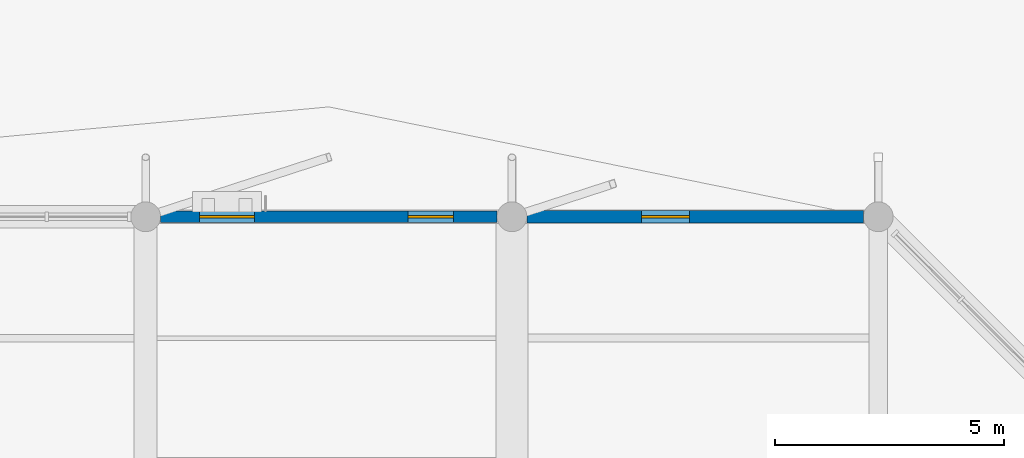
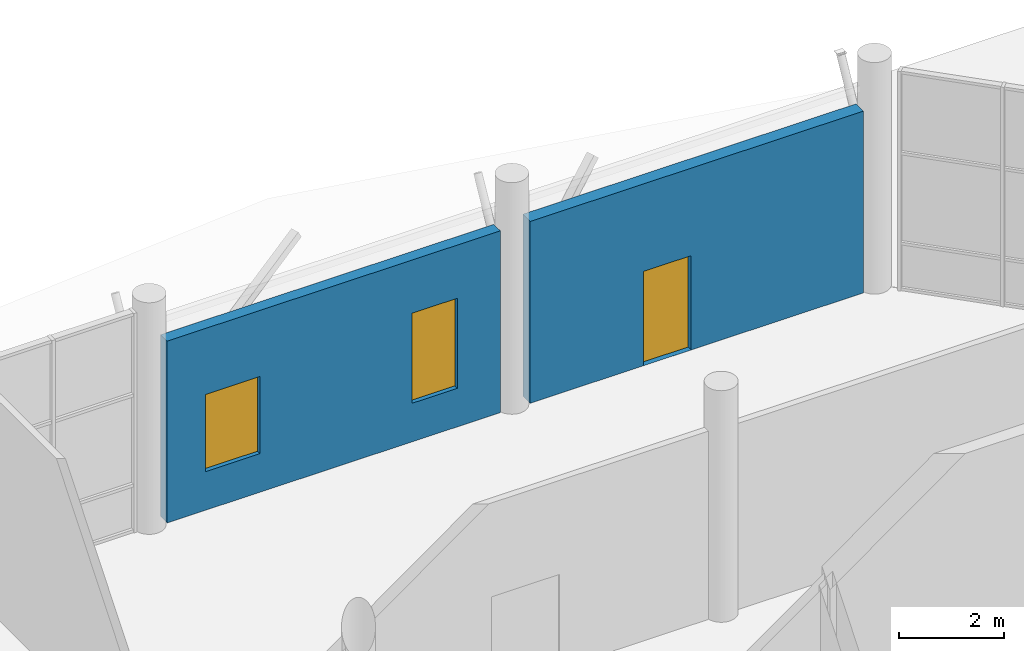
# One storey, part 105 of 123: 2 walls, 2 windows, 1 door, 3 openings.
"""IFC4 building model written with IfcOpenShell, lengths in metres."""

from ifc_helpers import new_model, si_unit, direction, frame, frame_2d, origin, place, context, subcontext, project, spatial, rectangle, extrude, material, layer, layer_set, type_object, element, fill, save


model = new_model("IFC4")

# Units and contexts
model_context = context("Model", 3, precision=1e-05, world=origin(), true_north=direction((0.0, 1.0)))
body_context = subcontext(model_context, "Body", "Model", "MODEL_VIEW")
ifc_project = project(units=[si_unit("LENGTHUNIT", "METRE"), si_unit("AREAUNIT", "SQUARE_METRE"), si_unit("VOLUMEUNIT", "CUBIC_METRE"), si_unit("PLANEANGLEUNIT", "RADIAN"), si_unit("MASSUNIT", "GRAM", prefix="KILO")], contexts=[model_context])

# Site, building, storey
site_placement = place(None, origin())
site = spatial("IfcSite", under=ifc_project, at=site_placement, CompositionType="ELEMENT")
building_placement = place(site_placement, origin())
building = spatial("IfcBuilding", under=site, at=building_placement, Name="Tenunan Teduh Sports Hall", CompositionType="ELEMENT")
storey_placement = place(building_placement, origin())
storey = spatial("IfcBuildingStorey", under=building, at=storey_placement, Name="L00", CompositionType="ELEMENT", Elevation=0.0)

# Wall, openings, windows
ifc_material_1 = material(Name="Precast concrete C40/50", Category="concrete")
ifc_layer_1 = layer(ifc_material_1, 0.25)
ifc_layer_set_1 = layer_set([ifc_layer_1], Name="Precast concrete C40/50")
wall_type_1 = type_object("IfcWallType", Name="WL-EXT-250", PredefinedType="SOLIDWALL", material=ifc_layer_set_1)
wall_1_placement = place(storey_placement, frame((138.324951171875, 118.0, 0.0), z_axis=(0.0, 0.0, 1.0), x_axis=(1.0, 0.0, 0.0)))
wall_1 = element("IfcWall", 1, at=wall_1_placement, inside=storey, type_object=wall_type_1, Name="WL-EXT-L00-224", PredefinedType="SOLIDWALL", context=body_context, shape_type="SweptSolid", body=[
    extrude(rectangle(XDim=7.35009765625, YDim=0.25, at=frame_2d((3.675048828125, 0.0))), origin(), (0.0, 0.0, 1.0), 4.239990234375),
])
opening_1_placement = place(wall_1_placement, frame((0.85009765625, 0.0, 0.89990234375)))
opening_1 = element("IfcOpeningElement", 2, at=opening_1_placement, cuts=wall_1, Name="Opening W-01", PredefinedType="OPENING", context=body_context, shape_type="SweptSolid", body=[
    extrude(rectangle(XDim=1.199951171875, YDim=1.800048828125, at=frame_2d((0.60009765625, 0.89990234375))), frame((0.0, 0.135009765625, 0.0), z_axis=(0.0, -1.0, 0.0), x_axis=(1.0, 0.0, 0.0)), (0.0, 0.0, 1.0), 0.27001953125),
])
opening_2_placement = place(wall_1_placement, frame((5.39990234375, 0.0, 0.89990234375)))
opening_2 = element("IfcOpeningElement", 3, at=opening_2_placement, cuts=wall_1, Name="Opening W-13", PredefinedType="OPENING", context=body_context, shape_type="SweptSolid", body=[
    extrude(rectangle(XDim=1.0, YDim=2.10009765625, at=frame_2d((0.5, 1.050048828125))), frame((0.0, 0.135009765625, 0.0), z_axis=(0.0, -1.0, 0.0), x_axis=(1.0, 0.0, 0.0)), (0.0, 0.0, 1.0), 0.27001953125),
])
ifc_material_2 = material(Name="Thermally broken aluminium and Low-E glazing", Category="aluminium")
window_type_1 = type_object("IfcWindowType", Name="WIN-01", PartitioningType="SINGLE_PANEL", PredefinedType="WINDOW", material=ifc_material_2)
window_1_placement = place(opening_1_placement, origin())
window_1 = element("IfcWindow", 4, at=window_1_placement, inside=storey, type_object=window_type_1, Name="WIN-L00-128", OverallHeight=1.800048828125, OverallWidth=1.199951171875, PartitioningType="SINGLE_PANEL", PredefinedType="WINDOW", context=body_context, shape_type="SweptSolid", body=[
    extrude(rectangle(XDim=1.199951171875, YDim=1.800048828125, at=frame_2d((0.60009765625, 0.89990234375))), frame((0.0, 0.030029296875, 0.0), z_axis=(0.0, -1.0, 0.0), x_axis=(1.0, 0.0, 0.0)), (0.0, 0.0, 1.0), 0.06005859375),
])
fill(opening_1, window_1)
ifc_material_3 = material(Name="Thermally broken aluminium and Low-E glazing", Category="aluminium")
window_type_2 = type_object("IfcWindowType", Name="WIN-13", PartitioningType="SINGLE_PANEL", PredefinedType="WINDOW", material=ifc_material_3)
window_2_placement = place(opening_2_placement, origin())
window_2 = element("IfcWindow", 5, at=window_2_placement, inside=storey, type_object=window_type_2, Name="WIN-L00-129", OverallHeight=2.10009765625, OverallWidth=1.0, PartitioningType="SINGLE_PANEL", PredefinedType="WINDOW", context=body_context, shape_type="SweptSolid", body=[
    extrude(rectangle(XDim=1.0, YDim=2.10009765625, at=frame_2d((0.5, 1.050048828125))), frame((0.0, 0.030029296875, 0.0), z_axis=(0.0, -1.0, 0.0), x_axis=(1.0, 0.0, 0.0)), (0.0, 0.0, 1.0), 0.06005859375),
])
fill(opening_2, window_2)

# Wall, opening, door
ifc_material_4 = material(Name="Concrete C40/50", Category="concrete")
ifc_layer_2 = layer(ifc_material_4, 0.280029296875)
ifc_layer_set_2 = layer_set([ifc_layer_2], Name="Concrete C40/50")
wall_type_2 = type_object("IfcWallType", Name="WL-EXT-280", PredefinedType="SOLIDWALL", material=ifc_layer_set_2)
wall_2_placement = place(storey_placement, frame((146.324951171875, 118.0, 0.0), z_axis=(0.0, 0.0, 1.0), x_axis=(1.0, 0.0, 0.0)))
wall_2 = element("IfcWall", 6, at=wall_2_placement, inside=storey, type_object=wall_type_2, Name="WL-EXT-L00-225", PredefinedType="SOLIDWALL", context=body_context, shape_type="SweptSolid", body=[
    extrude(rectangle(XDim=7.35009765625, YDim=0.280029296875, at=frame_2d((3.675048828125, 0.0))), origin(), (0.0, 0.0, 1.0), 4.239990234375),
])
opening_3_placement = place(wall_2_placement, frame((2.5, 0.0, 0.0)))
opening_3 = element("IfcOpeningElement", 7, at=opening_3_placement, cuts=wall_2, Name="Opening ED-04", PredefinedType="OPENING", context=body_context, shape_type="SweptSolid", body=[
    extrude(rectangle(XDim=1.050048828125, YDim=2.199951171875, at=frame_2d((0.52490234375, 1.10009765625))), frame((0.0, 0.14990234375, 0.0), z_axis=(0.0, -1.0, 0.0), x_axis=(1.0, 0.0, 0.0)), (0.0, 0.0, 1.0), 0.300048828125),
])
ifc_material_5 = material(Name="Powder-coated aluminium and laminated safety glass", Category="aluminium")
door_type = type_object("IfcDoorType", Name="EDR-04", OperationType="SINGLE_SWING_RIGHT", PredefinedType="DOOR", material=ifc_material_5)
door_placement = place(opening_3_placement, origin())
door = element("IfcDoor", 8, at=door_placement, inside=storey, type_object=door_type, Name="DR-EXT-L00-044", OperationType="SINGLE_SWING_RIGHT", OverallHeight=2.199951171875, OverallWidth=1.050048828125, PredefinedType="DOOR", context=body_context, shape_type="SweptSolid", body=[
    extrude(rectangle(XDim=1.050048828125, YDim=2.199951171875, at=frame_2d((0.52490234375, 1.10009765625))), frame((0.0, 0.02490234375, 0.0), z_axis=(0.0, -1.0, 0.0), x_axis=(1.0, 0.0, 0.0)), (0.0, 0.0, 1.0), 0.050048828125),
])
fill(opening_3, door)

save(model, "model.ifc")
